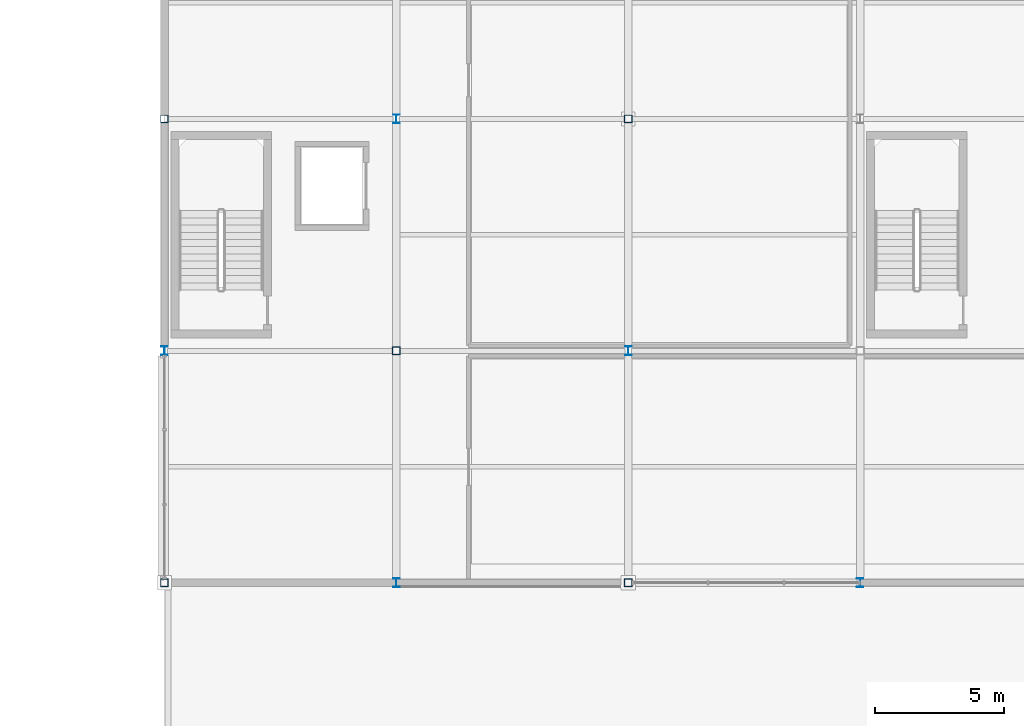
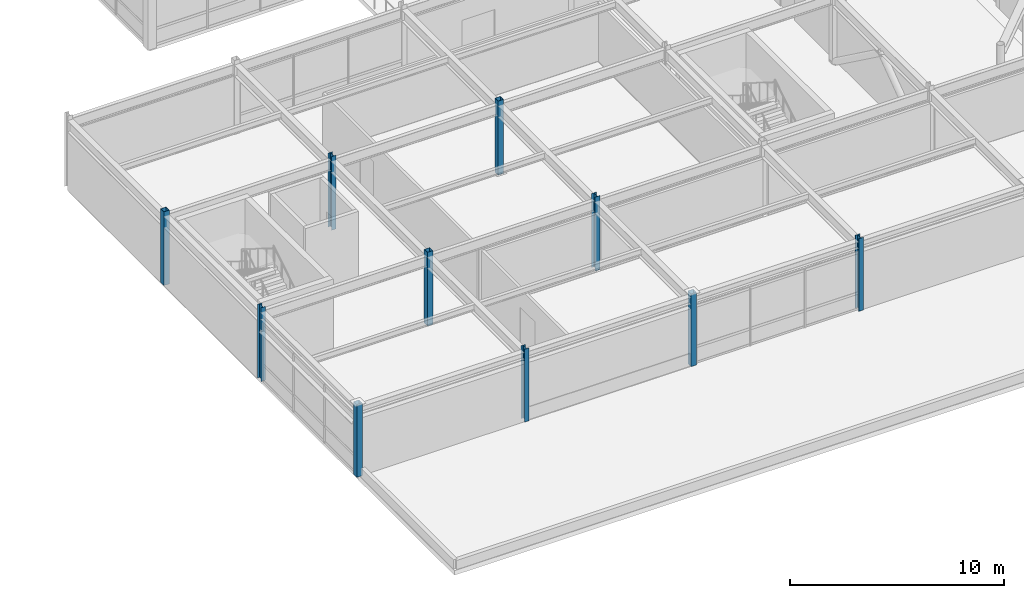
# One storey, part 17 of 108: 10 columns.
"""IFC4 building model written with IfcOpenShell, lengths in metres."""

from ifc_helpers import new_model, si_unit, direction, frame, origin, origin_2d, place, context, subcontext, project, spatial, hollow_rectangle, i_section, extrude, material, material_profile, profile_set, type_object, element, save


model = new_model("IFC4")

# Units and contexts
model_context = context("Model", 3, precision=1e-05, world=origin(), true_north=direction((0.0, 1.0)))
body_context = subcontext(model_context, "Body", "Model", "MODEL_VIEW")
ifc_project = project(units=[si_unit("LENGTHUNIT", "METRE"), si_unit("AREAUNIT", "SQUARE_METRE"), si_unit("VOLUMEUNIT", "CUBIC_METRE"), si_unit("PLANEANGLEUNIT", "RADIAN"), si_unit("MASSUNIT", "GRAM", prefix="KILO")], contexts=[model_context])

# Site, building, storey
site_placement = place(None, origin())
site = spatial("IfcSite", under=ifc_project, at=site_placement, CompositionType="ELEMENT")
building_placement = place(site_placement, origin())
building = spatial("IfcBuilding", under=site, at=building_placement, Name="Suzunagisa Mobility Hub", CompositionType="ELEMENT")
storey_placement = place(building_placement, frame((0.0, 0.0, 9.300048828125)))
storey = spatial("IfcBuildingStorey", under=building, at=storey_placement, Name="L02", CompositionType="ELEMENT", Elevation=9.300048828125)

# Columns
ifc_material = material(Name="Steel SN490B", Category="steel")
ifc_material_profile_1 = material_profile(ifc_material, i_section(OverallWidth=0.25, OverallDepth=0.340087890625, WebThickness=0.009033203125, FlangeThickness=0.013916015625, FilletRadius=0.010009765625, at=origin_2d()), Name="H-340x250x9x14")
ifc_profile_set_1 = profile_set([ifc_material_profile_1], Name="Steel SN490B")
column_type_1 = type_object("IfcColumnType", Name="Steel Column CL-02 H-340x250x9x14", PredefinedType="COLUMN", material=ifc_profile_set_1)
column_1_placement = place(storey_placement, frame((135.0, 18.0, 0.0), z_axis=(0.0, 0.0, 1.0), x_axis=(1.0, 0.0, 0.0)))
element("IfcColumn", 1, at=column_1_placement, inside=storey, type_object=column_type_1, Name="L02 Column 244", PredefinedType="COLUMN", context=body_context, shape_type="SweptSolid", body=[
    extrude(i_section(OverallWidth=0.25, OverallDepth=0.340087890625, WebThickness=0.009033203125, FlangeThickness=0.013916015625, FilletRadius=0.010009765625, at=origin_2d()), origin(), (0.0, 0.0, 1.0), 4.199951171875),
])
column_2_placement = place(storey_placement, frame((144.0, 9.0, 0.0), z_axis=(0.0, 0.0, 1.0), x_axis=(1.0, 0.0, 0.0)))
element("IfcColumn", 2, at=column_2_placement, inside=storey, type_object=column_type_1, Name="L02 Column 252", PredefinedType="COLUMN", context=body_context, shape_type="SweptSolid", body=[
    extrude(i_section(OverallWidth=0.25, OverallDepth=0.340087890625, WebThickness=0.009033203125, FlangeThickness=0.013916015625, FilletRadius=0.010009765625, at=origin_2d()), origin(), (0.0, 0.0, 1.0), 4.139892578125),
])
for number, where, z_axis, x_axis, name in (
    (3, (144.0, 27.0, 0.0), (0.0, 0.0, 1.0), (1.0, 0.0, 0.0), "L02 Column 254"),
    (4, (153.0, 18.0, 0.0), (0.0, 0.0, 1.0), (1.0, 0.0, 0.0), "L02 Column 266"),
):
    element("IfcColumn", number, at=place(storey_placement, frame(where, z_axis=z_axis, x_axis=x_axis)), inside=storey, type_object=column_type_1, Name=name, PredefinedType="COLUMN", context=body_context, shape_type="SweptSolid", body=[
        extrude(i_section(OverallWidth=0.25, OverallDepth=0.340087890625, WebThickness=0.009033203125, FlangeThickness=0.013916015625, FilletRadius=0.010009765625, at=origin_2d()), origin(), (0.0, 0.0, 1.0), 4.199951171875),
    ])
column_3_placement = place(storey_placement, frame((162.0, 9.0, 0.0), z_axis=(0.0, 0.0, 1.0), x_axis=(1.0, 0.0, 0.0)))
element("IfcColumn", 5, at=column_3_placement, inside=storey, type_object=column_type_1, Name="L02 Column 284", PredefinedType="COLUMN", context=body_context, shape_type="SweptSolid", body=[
    extrude(i_section(OverallWidth=0.25, OverallDepth=0.340087890625, WebThickness=0.009033203125, FlangeThickness=0.013916015625, FilletRadius=0.010009765625, at=origin_2d()), origin(), (0.0, 0.0, 1.0), 4.139892578125),
])
ifc_material_profile_2 = material_profile(ifc_material, hollow_rectangle(XDim=0.300048828125, YDim=0.300048828125, WallThickness=0.011962890625, at=origin_2d()), Name="BCR-300x300x12")
ifc_profile_set_2 = profile_set([ifc_material_profile_2], Name="Steel SN490B")
column_type_2 = type_object("IfcColumnType", Name="Steel Column CL-12 BCR-300x300x12", PredefinedType="COLUMN", material=ifc_profile_set_2)
column_4_placement = place(storey_placement, frame((135.0, 9.0, 0.0), z_axis=(0.0, 0.0, 1.0), x_axis=(1.0, 0.0, 0.0)))
element("IfcColumn", 6, at=column_4_placement, inside=storey, type_object=column_type_2, Name="L02 Column 243", PredefinedType="COLUMN", context=body_context, shape_type="SweptSolid", body=[
    extrude(hollow_rectangle(XDim=0.300048828125, YDim=0.300048828125, WallThickness=0.011962890625, at=origin_2d()), origin(), (0.0, 0.0, 1.0), 4.139892578125),
])
for number, where, z_axis, x_axis, name in (
    (7, (135.0, 27.0, 0.0), (0.0, 0.0, 1.0), (1.0, 0.0, 0.0), "L02 Column 245"),
    (8, (144.0, 18.0, 0.0), (0.0, 0.0, 1.0), (1.0, 0.0, 0.0), "L02 Column 253"),
):
    element("IfcColumn", number, at=place(storey_placement, frame(where, z_axis=z_axis, x_axis=x_axis)), inside=storey, type_object=column_type_2, Name=name, PredefinedType="COLUMN", context=body_context, shape_type="SweptSolid", body=[
        extrude(hollow_rectangle(XDim=0.300048828125, YDim=0.300048828125, WallThickness=0.011962890625, at=origin_2d()), origin(), (0.0, 0.0, 1.0), 4.199951171875),
    ])
column_5_placement = place(storey_placement, frame((153.0, 9.0, 0.0), z_axis=(0.0, 0.0, 1.0), x_axis=(1.0, 0.0, 0.0)))
element("IfcColumn", 9, at=column_5_placement, inside=storey, type_object=column_type_2, Name="L02 Column 265", PredefinedType="COLUMN", context=body_context, shape_type="SweptSolid", body=[
    extrude(hollow_rectangle(XDim=0.300048828125, YDim=0.300048828125, WallThickness=0.011962890625, at=origin_2d()), origin(), (0.0, 0.0, 1.0), 4.139892578125),
])
column_6_placement = place(storey_placement, frame((153.0, 27.0, 0.0), z_axis=(0.0, 0.0, 1.0), x_axis=(1.0, 0.0, 0.0)))
element("IfcColumn", 10, at=column_6_placement, inside=storey, type_object=column_type_2, Name="L02 Column 267", PredefinedType="COLUMN", context=body_context, shape_type="SweptSolid", body=[
    extrude(hollow_rectangle(XDim=0.300048828125, YDim=0.300048828125, WallThickness=0.011962890625, at=origin_2d()), origin(), (0.0, 0.0, 1.0), 4.199951171875),
])

save(model, "model.ifc")
